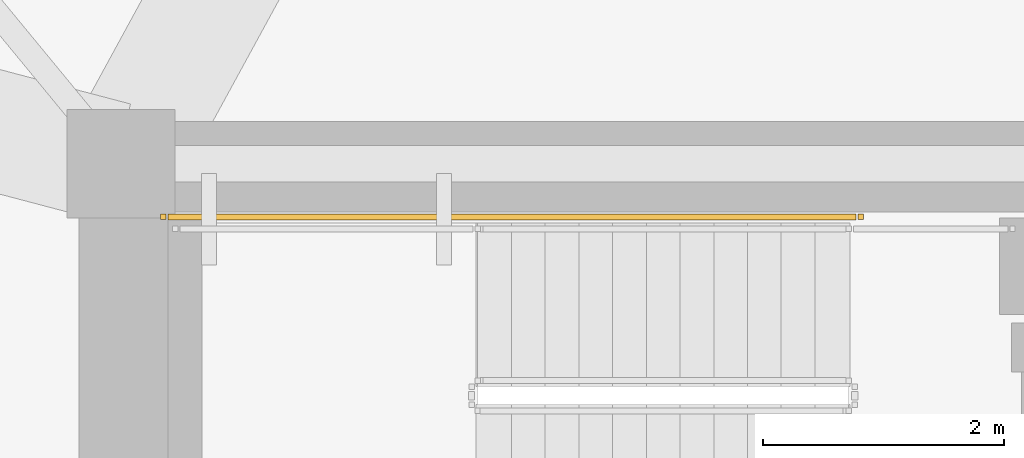
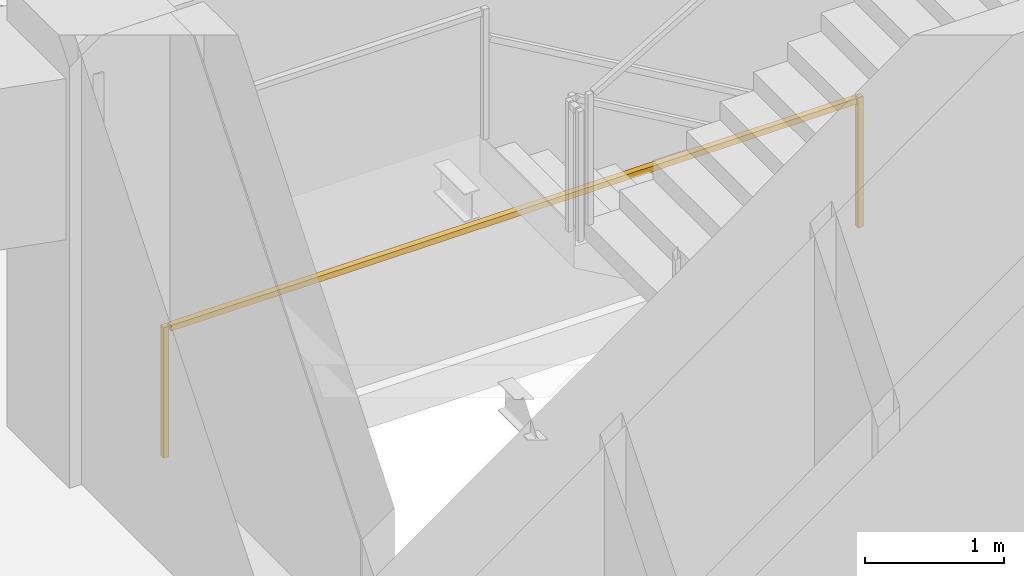
# One storey, part 13 of 16: 1 railing.
"""IFC4 building model written with IfcOpenShell, lengths in metres."""

from ifc_helpers import new_model, si_unit, direction, frame, origin, origin_2d, place, context, subcontext, project, spatial, rectangle, extrude, material, type_object, element, save


model = new_model("IFC4")

# Units and contexts
model_context = context("Model", 3, precision=1e-05, world=origin(), true_north=direction((0.0, 1.0)))
body_context = subcontext(model_context, "Body", "Model", "MODEL_VIEW")
ifc_project = project(units=[si_unit("LENGTHUNIT", "METRE"), si_unit("AREAUNIT", "SQUARE_METRE"), si_unit("VOLUMEUNIT", "CUBIC_METRE"), si_unit("PLANEANGLEUNIT", "RADIAN"), si_unit("MASSUNIT", "GRAM", prefix="KILO")], contexts=[model_context])

# Site, building, storey
site_placement = place(None, origin())
site = spatial("IfcSite", under=ifc_project, at=site_placement, CompositionType="ELEMENT")
building_placement = place(site_placement, origin())
building = spatial("IfcBuilding", under=site, at=building_placement, Name="Yunling Apex Tower", CompositionType="ELEMENT")
storey_placement = place(building_placement, frame((0.0, 0.0, 16.199951171875)))
storey = spatial("IfcBuildingStorey", under=building, at=storey_placement, Name="L05", CompositionType="ELEMENT", Elevation=16.199951171875)

# Railing
ifc_material = material(Name="Steel Q355B", Category="steel")
railing_type = type_object("IfcRailingType", Name="RL-GRD-1150", PredefinedType="GUARDRAIL", material=ifc_material)
railing_placement = place(storey_placement, frame((0.090087890625, 5.06005859375, 0.0)))
element("IfcRailing", 1, at=railing_placement, inside=storey, type_object=railing_type, Name="L05 ST-1 stair guard 7", PredefinedType="GUARDRAIL", context=body_context, shape_type="SweptSolid", body=[
    extrude(rectangle(XDim=0.0439453125, YDim=0.0439453125, at=origin_2d()), origin(), (0.0, 0.0, 1.0), 1.14990234375),
    extrude(rectangle(XDim=0.0439453125, YDim=0.0439453125, at=origin_2d()), frame((-5.7900390625, 0.0, 0.0)), (0.0, 0.0, 1.0), 1.14990234375),
    extrude(rectangle(XDim=0.050048828125, YDim=0.050048828125, at=origin_2d()), frame((-0.038330078125, 0.0, 1.125), z_axis=(-1.0, 0.0, 0.0), x_axis=(0.0, -1.0, 0.0)), (0.0, 0.0, 1.0), 5.71337890625),
])

save(model, "model.ifc")
